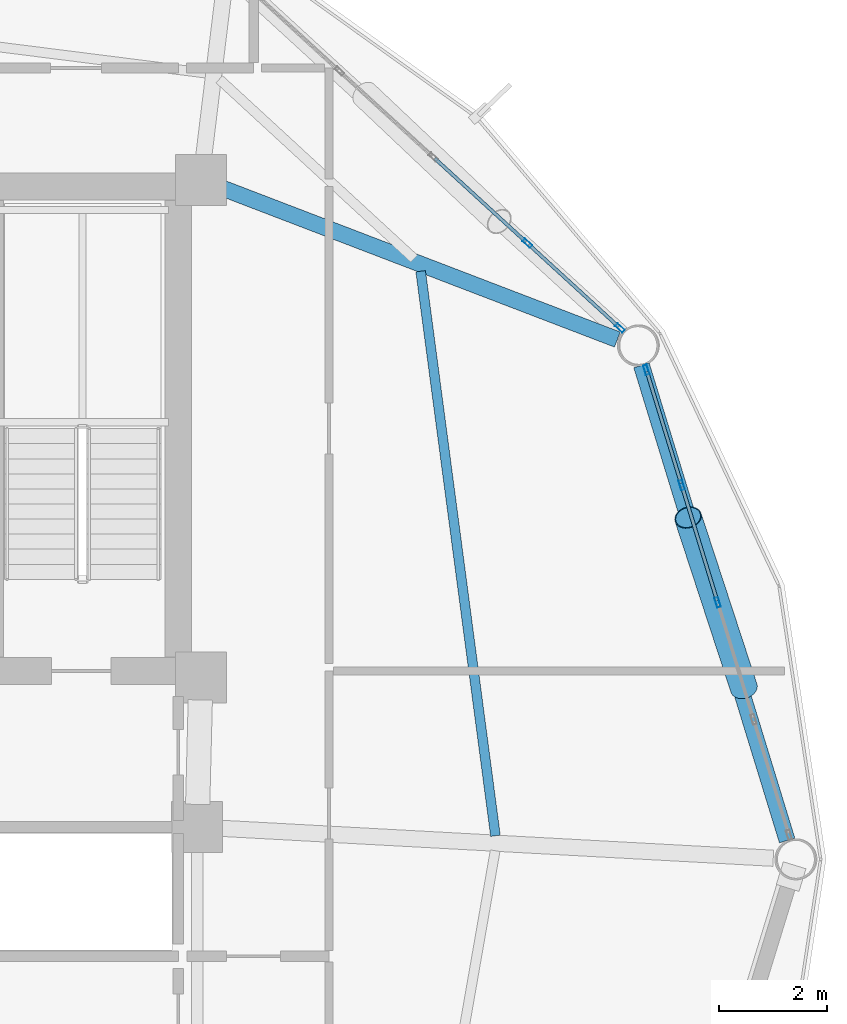
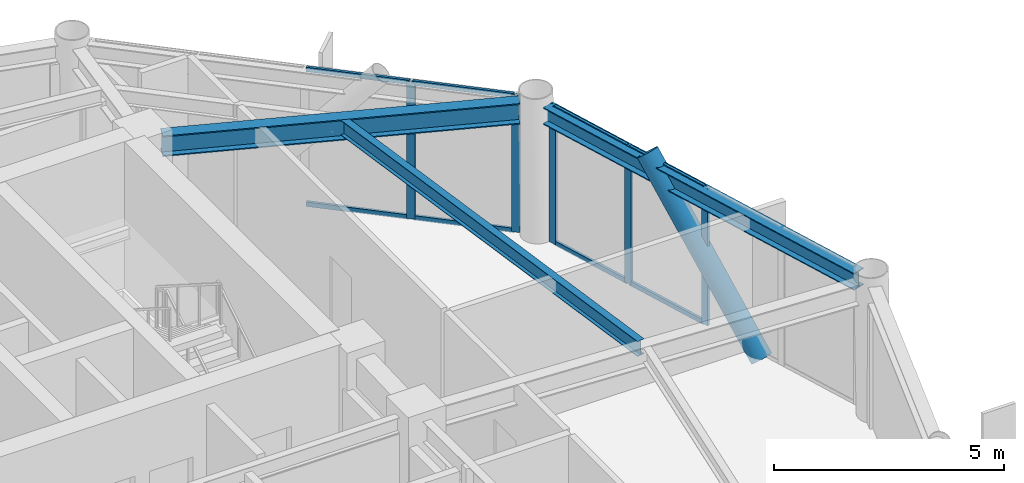
# One storey, part 15 of 26: 14 members, 3 beams, 2 elements without a shape of their own.
"""IFC4 building model written with IfcOpenShell, lengths in metres."""

from ifc_helpers import new_model, si_unit, direction, frame, origin, origin_2d, place, context, subcontext, project, spatial, hollow_rectangle, hollow_circle, i_section, extrude, material, layer, layer_set, material_profile, profile_set, type_object, element, aggregate, save


model = new_model("IFC4")

# Units and contexts
model_context = context("Model", 3, precision=1e-05, world=origin(), true_north=direction((0.0, 1.0)))
body_context = subcontext(model_context, "Body", "Model", "MODEL_VIEW")
ifc_project = project(units=[si_unit("LENGTHUNIT", "METRE"), si_unit("AREAUNIT", "SQUARE_METRE"), si_unit("VOLUMEUNIT", "CUBIC_METRE"), si_unit("PLANEANGLEUNIT", "RADIAN"), si_unit("MASSUNIT", "GRAM", prefix="KILO")], contexts=[model_context])

# Site, building, storey
site_placement = place(None, origin())
site = spatial("IfcSite", under=ifc_project, at=site_placement, CompositionType="ELEMENT")
building_placement = place(site_placement, origin())
building = spatial("IfcBuilding", under=site, at=building_placement, Name="Varnakorn Sky Granary", CompositionType="ELEMENT")
storey_placement = place(building_placement, frame((0.0, 0.0, 138.300048828125)))
storey = spatial("IfcBuildingStorey", under=building, at=storey_placement, Name="L34", CompositionType="ELEMENT", Elevation=138.300048828125)

# Beams
ifc_material_1 = material(Name="Steel S355JR", Category="steel")
ifc_material_profile_1 = material_profile(ifc_material_1, i_section(OverallWidth=0.300048828125, OverallDepth=0.550048828125, WebThickness=0.014892578125, FlangeThickness=0.029052734375, at=origin_2d()), Name="HE 550 B")
ifc_profile_set_1 = profile_set([ifc_material_profile_1], Name="Steel S355JR")
beam_type_1 = type_object("IfcBeamType", Name="BM-RAD-Z3", PredefinedType="BEAM", material=ifc_profile_set_1)
beam_1_placement = place(storey_placement, frame((8.812255859375, 12.4697265625, 3.364990234375), z_axis=(0.933763408083, -0.357890901988, 0.0), x_axis=(0.357890901988, 0.933763408083, 0.0)))
element("IfcBeam", 1, at=beam_1_placement, inside=storey, type_object=beam_type_1, Name="Radial Floor Girder RG02 L34", PredefinedType="BEAM", context=body_context, shape_type="SweptSolid", body=[
    extrude(i_section(OverallWidth=0.300048828125, OverallDepth=0.550048828125, WebThickness=0.014892578125, FlangeThickness=0.029052734375, at=origin_2d()), origin(), (0.0, 0.0, 1.0), 7.86474609375),
])
ifc_material_profile_2 = material_profile(ifc_material_1, i_section(OverallWidth=0.179931640625, OverallDepth=0.39990234375, WebThickness=0.008544921875, FlangeThickness=0.013427734375, at=origin_2d()), Name="IPE 400")
ifc_profile_set_2 = profile_set([ifc_material_profile_2], Name="Steel S355JR")
beam_type_2 = type_object("IfcBeamType", Name="BM-SEC-Z3", PredefinedType="BEAM", material=ifc_profile_set_2)
beam_2_placement = place(storey_placement, frame((13.89208984375, 0.437255859375, 3.43994140625), z_axis=(-0.131371498881, 0.991333207999, 0.0), x_axis=(-0.991333207999, -0.131371498881, 0.0)))
element("IfcBeam", 2, at=beam_2_placement, inside=storey, type_object=beam_type_2, Name="Secondary Floor Chord Beam MSB01 L34", PredefinedType="BEAM", context=body_context, shape_type="SweptSolid", body=[
    extrude(i_section(OverallWidth=0.179931640625, OverallDepth=0.39990234375, WebThickness=0.008544921875, FlangeThickness=0.013427734375, at=origin_2d()), origin(), (0.0, 0.0, 1.0), 10.578125),
])
ifc_material_profile_3 = material_profile(ifc_material_1, i_section(OverallWidth=0.300048828125, OverallDepth=0.449951171875, WebThickness=0.013916015625, FlangeThickness=0.02587890625, at=origin_2d()), Name="HE 450 B")
ifc_profile_set_3 = profile_set([ifc_material_profile_3], Name="Steel S355JR")
beam_type_3 = type_object("IfcBeamType", Name="BM-SPD-Z3", PredefinedType="SPANDREL", material=ifc_profile_set_3)
beam_3_placement = place(storey_placement, frame((19.309814453125, 0.349853515625, 3.4150390625), z_axis=(-0.293065193807, 0.956092460057, 0.0), x_axis=(-0.956092460057, -0.293065193807, 0.0)))
element("IfcBeam", 3, at=beam_3_placement, inside=storey, type_object=beam_type_3, Name="Perimeter Spandrel Ring Beam RB01 L34", PredefinedType="SPANDREL", context=body_context, shape_type="SweptSolid", body=[
    extrude(i_section(OverallWidth=0.300048828125, OverallDepth=0.449951171875, WebThickness=0.013916015625, FlangeThickness=0.02587890625, at=origin_2d()), origin(), (0.0, 0.0, 1.0), 9.2294921875),
])

# Curtain wall, members
ifc_material_2 = material(Name="Anodised Bronze Aluminium Alloy 6063-T6", Category="aluminium")
ifc_layer = layer(ifc_material_2, 0.179931640625, Name="Anodised Bronze Aluminium Alloy 6063-T6")
ifc_layer_set = layer_set([ifc_layer], Name="Anodised Bronze Aluminium Alloy 6063-T6")
curtain_wall_type = type_object("IfcCurtainWallType", Name="CW-FRM-2", PredefinedType="USERDEFINED", material=ifc_layer_set)
curtain_wall_1_placement = place(storey_placement, origin())
curtain_wall_1 = element("IfcCurtainWall", 4, at=curtain_wall_1_placement, inside=storey, type_object=curtain_wall_type, Name="Unitised Curtain Wall CW4 CW-L34-B01", ObjectType="CURTAIN WALL", PredefinedType="USERDEFINED")
ifc_material_profile_4 = material_profile(ifc_material_2, hollow_rectangle(XDim=0.070068359375, YDim=0.18505859375, WallThickness=0.00390625, at=origin_2d()), Name="ALU MULL 70x185")
ifc_profile_set_4 = profile_set([ifc_material_profile_4], Name="Anodised Bronze Aluminium Alloy 6063-T6")
member_type_1 = type_object("IfcMemberType", Name="CW-FRM-2-MULL", PredefinedType="MULLION", material=ifc_profile_set_4)
member_1_placement = place(storey_placement, frame((16.694580078125, 9.093017578125, 0.0), z_axis=(0.0, 0.0, 1.0), x_axis=(0.956053346181, 0.293192768083, 0.0)))
member_1 = element("IfcMember", 5, at=member_1_placement, type_object=member_type_1, Name="CW4 mullion 1", PredefinedType="MULLION", context=body_context, shape_type="SweptSolid", body=[
    extrude(hollow_rectangle(XDim=0.070068359375, YDim=0.18505859375, WallThickness=0.00390625, at=origin_2d()), origin(), (0.0, 0.0, 1.0), 3.639892578125),
])
member_2_placement = place(storey_placement, frame((17.3515625, 6.9501953125, 0.0), z_axis=(0.0, 0.0, 1.0), x_axis=(0.956053346181, 0.293192768083, 0.0)))
member_2 = element("IfcMember", 6, at=member_2_placement, type_object=member_type_1, Name="CW4 mullion 2", PredefinedType="MULLION", context=body_context, shape_type="SweptSolid", body=[
    extrude(hollow_rectangle(XDim=0.070068359375, YDim=0.18505859375, WallThickness=0.00390625, at=origin_2d()), origin(), (0.0, 0.0, 1.0), 3.639892578125),
])
member_3_placement = place(storey_placement, frame((18.01904296875, 4.77392578125, 0.0), z_axis=(0.0, 0.0, 1.0), x_axis=(0.956053346181, 0.293192768083, 0.0)))
member_3 = element("IfcMember", 7, at=member_3_placement, type_object=member_type_1, Name="CW4 mullion 3", PredefinedType="MULLION", context=body_context, shape_type="SweptSolid", body=[
    extrude(hollow_rectangle(XDim=0.070068359375, YDim=0.18505859375, WallThickness=0.00390625, at=origin_2d()), origin(), (0.0, 0.0, 1.0), 3.639892578125),
])

curtain_wall_2_placement = place(storey_placement, origin())
curtain_wall_2 = element("IfcCurtainWall", 8, at=curtain_wall_2_placement, inside=storey, type_object=curtain_wall_type, Name="Unitised Curtain Wall CW4 CW-L34-B02", ObjectType="CURTAIN WALL", PredefinedType="USERDEFINED")
member_4_placement = place(storey_placement, frame((14.484619140625, 11.4443359375, 0.0), z_axis=(0.0, 0.0, 1.0), x_axis=(0.675438035219, 0.737416748236, 0.0)))
member_4 = element("IfcMember", 9, at=member_4_placement, type_object=member_type_1, Name="CW4 mullion 4", PredefinedType="MULLION", context=body_context, shape_type="SweptSolid", body=[
    extrude(hollow_rectangle(XDim=0.070068359375, YDim=0.18505859375, WallThickness=0.00390625, at=origin_2d()), origin(), (0.0, 0.0, 1.0), 3.639892578125),
])
member_5_placement = place(storey_placement, frame((16.203857421875, 9.86962890625, 0.0), z_axis=(0.0, 0.0, 1.0), x_axis=(0.675438035219, 0.737416748236, 0.0)))
member_5 = element("IfcMember", 10, at=member_5_placement, type_object=member_type_1, Name="CW4 mullion 5", PredefinedType="MULLION", context=body_context, shape_type="SweptSolid", body=[
    extrude(hollow_rectangle(XDim=0.070068359375, YDim=0.18505859375, WallThickness=0.00390625, at=origin_2d()), origin(), (0.0, 0.0, 1.0), 3.639892578125),
])

# Member
ifc_material_profile_5 = material_profile(ifc_material_2, hollow_rectangle(XDim=0.06494140625, YDim=0.1201171875, WallThickness=0.00341796875, at=origin_2d()), Name="ALU TRAN 65x120")
ifc_profile_set_5 = profile_set([ifc_material_profile_5], Name="Anodised Bronze Aluminium Alloy 6063-T6")
member_type_2 = type_object("IfcMemberType", Name="CW-FRM-2-TRAN", PredefinedType="USERDEFINED", material=ifc_profile_set_5)
member_6_placement = place(storey_placement, frame((16.704833984375, 9.0595703125, 0.032470703125), z_axis=(0.293129662446, -0.956072696501, 0.0), x_axis=(0.956072696501, 0.293129662446, 0.0)))
member_6 = element("IfcMember", 11, at=member_6_placement, type_object=member_type_2, Name="CW4 transom 1.1", ObjectType="TRANSOM", PredefinedType="USERDEFINED", context=body_context, shape_type="SweptSolid", body=[
    extrude(hollow_rectangle(XDim=0.06494140625, YDim=0.1201171875, WallThickness=0.00341796875, at=origin_2d()), origin(), (0.0, 0.0, 1.0), 2.17138671875),
])

member_7_placement = place(storey_placement, frame((16.704833984375, 9.0595703125, 3.607421875), z_axis=(0.293129662446, -0.956072696501, 0.0), x_axis=(0.956072696501, 0.293129662446, 0.0)))
member_7 = element("IfcMember", 12, at=member_7_placement, type_object=member_type_2, Name="CW4 transom 1.2", ObjectType="TRANSOM", PredefinedType="USERDEFINED", context=body_context, shape_type="SweptSolid", body=[
    extrude(hollow_rectangle(XDim=0.06494140625, YDim=0.1201171875, WallThickness=0.00341796875, at=origin_2d()), origin(), (0.0, 0.0, 1.0), 2.17138671875),
])

member_8_placement = place(storey_placement, frame((17.36181640625, 6.916748046875, 0.032470703125), z_axis=(0.293230413404, -0.956041800684, 0.0), x_axis=(0.956041800684, 0.293230413404, 0.0)))
member_8 = element("IfcMember", 13, at=member_8_placement, type_object=member_type_2, Name="CW4 transom 2.1", ObjectType="TRANSOM", PredefinedType="USERDEFINED", context=body_context, shape_type="SweptSolid", body=[
    extrude(hollow_rectangle(XDim=0.06494140625, YDim=0.1201171875, WallThickness=0.00341796875, at=origin_2d()), origin(), (0.0, 0.0, 1.0), 2.206298828125),
])

member_9_placement = place(storey_placement, frame((17.36181640625, 6.916748046875, 3.607421875), z_axis=(0.293230413404, -0.956041800684, 0.0), x_axis=(0.956041800684, 0.293230413404, 0.0)))
member_9 = element("IfcMember", 14, at=member_9_placement, type_object=member_type_2, Name="CW4 transom 2.2", ObjectType="TRANSOM", PredefinedType="USERDEFINED", context=body_context, shape_type="SweptSolid", body=[
    extrude(hollow_rectangle(XDim=0.06494140625, YDim=0.1201171875, WallThickness=0.00341796875, at=origin_2d()), origin(), (0.0, 0.0, 1.0), 2.206298828125),
])

aggregate(curtain_wall_1, [member_1, member_2, member_3, member_6, member_7, member_8, member_9])

member_10_placement = place(storey_placement, frame((12.765380859375, 13.01904296875, 0.032470703125), z_axis=(0.737418874608, -0.675435713723, 0.0), x_axis=(0.675435713723, 0.737418874608, 0.0)))
member_10 = element("IfcMember", 15, at=member_10_placement, type_object=member_type_2, Name="CW4 transom 3.1", ObjectType="TRANSOM", PredefinedType="USERDEFINED", context=body_context, shape_type="SweptSolid", body=[
    extrude(hollow_rectangle(XDim=0.06494140625, YDim=0.1201171875, WallThickness=0.00341796875, at=origin_2d()), origin(), (0.0, 0.0, 1.0), 2.29638671875),
])

member_11_placement = place(storey_placement, frame((12.765380859375, 13.01904296875, 3.607421875), z_axis=(0.737418874608, -0.675435713723, 0.0), x_axis=(0.675435713723, 0.737418874608, 0.0)))
member_11 = element("IfcMember", 16, at=member_11_placement, type_object=member_type_2, Name="CW4 transom 3.2", ObjectType="TRANSOM", PredefinedType="USERDEFINED", context=body_context, shape_type="SweptSolid", body=[
    extrude(hollow_rectangle(XDim=0.06494140625, YDim=0.1201171875, WallThickness=0.00341796875, at=origin_2d()), origin(), (0.0, 0.0, 1.0), 2.29638671875),
])

member_12_placement = place(storey_placement, frame((14.510498046875, 11.420654296875, 0.032470703125), z_axis=(0.737360246557, -0.675499716356, 0.0), x_axis=(0.675499716356, 0.737360246557, 0.0)))
member_12 = element("IfcMember", 17, at=member_12_placement, type_object=member_type_2, Name="CW4 transom 4.1", ObjectType="TRANSOM", PredefinedType="USERDEFINED", context=body_context, shape_type="SweptSolid", body=[
    extrude(hollow_rectangle(XDim=0.06494140625, YDim=0.1201171875, WallThickness=0.00341796875, at=origin_2d()), origin(), (0.0, 0.0, 1.0), 2.261474609375),
])

member_13_placement = place(storey_placement, frame((14.510498046875, 11.420654296875, 3.607421875), z_axis=(0.737360246557, -0.675499716356, 0.0), x_axis=(0.675499716356, 0.737360246557, 0.0)))
member_13 = element("IfcMember", 18, at=member_13_placement, type_object=member_type_2, Name="CW4 transom 4.2", ObjectType="TRANSOM", PredefinedType="USERDEFINED", context=body_context, shape_type="SweptSolid", body=[
    extrude(hollow_rectangle(XDim=0.06494140625, YDim=0.1201171875, WallThickness=0.00341796875, at=origin_2d()), origin(), (0.0, 0.0, 1.0), 2.261474609375),
])

aggregate(curtain_wall_2, [member_4, member_5, member_10, member_11, member_12, member_13])

ifc_material_3 = material(Name="Steel S460M", Category="steel")
ifc_material_profile_6 = material_profile(ifc_material_3, hollow_circle(Radius=0.25390625, WallThickness=0.01806640625, at=origin_2d()), Name="CHS 508x18")
ifc_profile_set_6 = profile_set([ifc_material_profile_6], Name="Steel S460M")
member_type_3 = type_object("IfcMemberType", Name="MB-DIAG-T2", PredefinedType="BRACE", material=ifc_profile_set_6)
member_14_placement = place(storey_placement, frame((18.507080078125, 3.1826171875, -0.130126953125), z_axis=(-0.20143743631, 0.615511186427, 0.761950745545), x_axis=(-0.950398310475, -0.311035450464, 0.0)))
element("IfcMember", 19, at=member_14_placement, inside=storey, type_object=member_type_3, Name="Perimeter CHS Diagrid Brace DG01 L34", PredefinedType="BRACE", context=body_context, shape_type="SweptSolid", body=[
    extrude(hollow_circle(Radius=0.25390625, WallThickness=0.01806640625, at=origin_2d()), origin(), (0.0, 0.0, 1.0), 5.14501953125),
])

save(model, "model.ifc")
